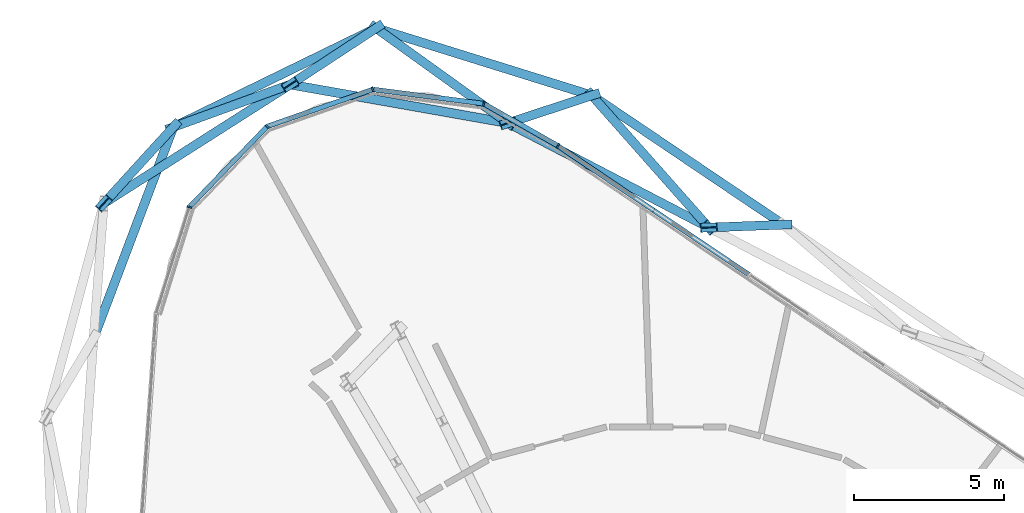
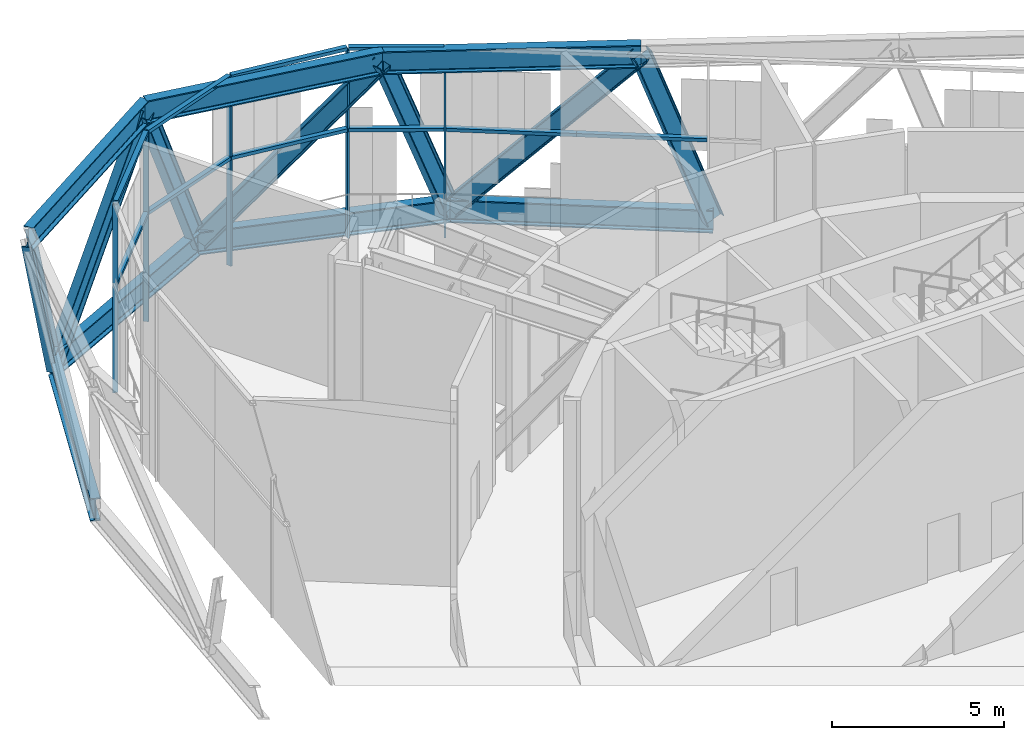
# One storey, part 7 of 24: 29 members, 2 elements without a shape of their own.
"""IFC4 building model written with IfcOpenShell, lengths in metres."""

from ifc_helpers import new_model, si_unit, direction, frame, origin, origin_2d, place, context, subcontext, project, spatial, rectangle, i_section, extrude, material, layer, layer_set, material_profile, profile_set, type_object, element, aggregate, save


model = new_model("IFC4")

# Units and contexts
model_context = context("Model", 3, precision=1e-05, world=origin(), true_north=direction((0.0, 1.0)))
body_context = subcontext(model_context, "Body", "Model", "MODEL_VIEW")
ifc_project = project(units=[si_unit("LENGTHUNIT", "METRE"), si_unit("AREAUNIT", "SQUARE_METRE"), si_unit("VOLUMEUNIT", "CUBIC_METRE"), si_unit("PLANEANGLEUNIT", "RADIAN"), si_unit("MASSUNIT", "GRAM", prefix="KILO")], contexts=[model_context])

# Site, building, storey
site_placement = place(None, origin())
site = spatial("IfcSite", under=ifc_project, at=site_placement, CompositionType="ELEMENT")
building_placement = place(site_placement, origin())
building = spatial("IfcBuilding", under=site, at=building_placement, Name="Spindle Arch Residences", CompositionType="ELEMENT")
storey_placement = place(building_placement, frame((0.0, 0.0, 219.89990234375)))
storey = spatial("IfcBuildingStorey", under=building, at=storey_placement, Name="L56", CompositionType="ELEMENT", Elevation=219.89990234375)

# Members
ifc_material_1 = material(Name="Steel S460ML, intumescent coating R 240", Category="steel")
ifc_material_profile_1 = material_profile(ifc_material_1, i_section(OverallWidth=0.302978515625, OverallDepth=0.81396484375, WebThickness=0.02099609375, FlangeThickness=0.0400390625, FilletRadius=0.030029296875, at=origin_2d()), Name="HEM 800")
ifc_profile_set_1 = profile_set([ifc_material_profile_1], Name="Steel S460ML, intumescent coating R 240")
member_type_1 = type_object("IfcMemberType", Name="Belt truss chord HEM 800", PredefinedType="CHORD", material=ifc_profile_set_1)
member_1_placement = place(storey_placement, frame((3.8994140625, 21.832763671875, -0.85693359375), z_axis=(-0.829040654635, 0.559188334072, 0.0), x_axis=(-0.559188334072, -0.829040654635, 0.0)))
element("IfcMember", 1, at=member_1_placement, inside=storey, type_object=member_type_1, Name="Belt truss bottom chord L56.9", PredefinedType="CHORD", context=body_context, shape_type="SweptSolid", body=[
    extrude(i_section(OverallWidth=0.302978515625, OverallDepth=0.81396484375, WebThickness=0.02099609375, FlangeThickness=0.0400390625, FilletRadius=0.030029296875, at=origin_2d()), origin(), (0.0, 0.0, 1.0), 7.69384765625),
])
member_2_placement = place(storey_placement, frame((-2.47900390625, 26.135009765625, -0.85693359375), z_axis=(-0.954689917857, 0.297602353388, 0.0), x_axis=(-0.297602353388, -0.954689917857, 0.0)))
element("IfcMember", 2, at=member_2_placement, inside=storey, type_object=member_type_1, Name="Belt truss bottom chord L56.10", PredefinedType="CHORD", context=body_context, shape_type="SweptSolid", body=[
    extrude(i_section(OverallWidth=0.302978515625, OverallDepth=0.81396484375, WebThickness=0.02099609375, FlangeThickness=0.0400390625, FilletRadius=0.030029296875, at=origin_2d()), origin(), (0.0, 0.0, 1.0), 7.5234375),
])
member_3_placement = place(storey_placement, frame((-9.66162109375, 28.3740234375, -0.85693359375), z_axis=(-0.898792504932, -0.438374307047, 0.0), x_axis=(0.438374307047, -0.898792504932, 0.0)))
element("IfcMember", 3, at=member_3_placement, inside=storey, type_object=member_type_1, Name="Belt truss bottom chord L56.11", PredefinedType="CHORD", context=body_context, shape_type="SweptSolid", body=[
    extrude(i_section(OverallWidth=0.302978515625, OverallDepth=0.81396484375, WebThickness=0.02099609375, FlangeThickness=0.0400390625, FilletRadius=0.030029296875, at=origin_2d()), origin(), (0.0, 0.0, 1.0), 7.509033203125),
])
member_4_placement = place(storey_placement, frame((-16.41064453125, 25.082275390625, -0.85693359375), z_axis=(-0.353277512849, -0.935518572191, 0.0), x_axis=(0.935518572191, -0.353277512849, 0.0)))
element("IfcMember", 4, at=member_4_placement, inside=storey, type_object=member_type_1, Name="Belt truss bottom chord L56.12", PredefinedType="CHORD", context=body_context, shape_type="SweptSolid", body=[
    extrude(i_section(OverallWidth=0.302978515625, OverallDepth=0.81396484375, WebThickness=0.02099609375, FlangeThickness=0.0400390625, FilletRadius=0.030029296875, at=origin_2d()), origin(), (0.0, 0.0, 1.0), 7.523681640625),
])
member_5_placement = place(storey_placement, frame((1.412109375, 21.738525390625, 5.943115234375), z_axis=(-0.88700649569, 0.461756945377, 0.0), x_axis=(-0.461756945377, -0.88700649569, 0.0)))
element("IfcMember", 5, at=member_5_placement, inside=storey, type_object=member_type_1, Name="Belt truss top chord L56.9", PredefinedType="CHORD", context=body_context, shape_type="SweptSolid", body=[
    extrude(i_section(OverallWidth=0.302978515625, OverallDepth=0.81396484375, WebThickness=0.02099609375, FlangeThickness=0.0400390625, FilletRadius=0.030029296875, at=origin_2d()), origin(), (0.0, 0.0, 1.0), 7.530029296875),
])
member_6_placement = place(storey_placement, frame((-5.26708984375, 25.215576171875, 5.943115234375), z_axis=(-0.984722428321, 0.17413138477, 0.0), x_axis=(-0.17413138477, -0.984722428321, 0.0)))
element("IfcMember", 6, at=member_6_placement, inside=storey, type_object=member_type_1, Name="Belt truss top chord L56.10", PredefinedType="CHORD", context=body_context, shape_type="SweptSolid", body=[
    extrude(i_section(OverallWidth=0.302978515625, OverallDepth=0.81396484375, WebThickness=0.02099609375, FlangeThickness=0.0400390625, FilletRadius=0.030029296875, at=origin_2d()), origin(), (0.0, 0.0, 1.0), 7.364990234375),
])
member_7_placement = place(storey_placement, frame((-12.51953125, 26.498046875, 5.943115234375), z_axis=(-0.843393561308, -0.53729628767, 0.0), x_axis=(0.53729628767, -0.843393561308, 0.0)))
element("IfcMember", 7, at=member_7_placement, inside=storey, type_object=member_type_1, Name="Belt truss top chord L56.11", PredefinedType="CHORD", context=body_context, shape_type="SweptSolid", body=[
    extrude(i_section(OverallWidth=0.302978515625, OverallDepth=0.81396484375, WebThickness=0.02099609375, FlangeThickness=0.0400390625, FilletRadius=0.030029296875, at=origin_2d()), origin(), (0.0, 0.0, 1.0), 7.35693359375),
])
ifc_material_2 = material(Name="Steel S460ML, intumescent coating R 240", Category="steel")
ifc_material_profile_2 = material_profile(ifc_material_2, i_section(OverallWidth=0.300048828125, OverallDepth=0.60009765625, WebThickness=0.015380859375, FlangeThickness=0.030029296875, FilletRadius=0.027099609375, at=origin_2d()), Name="HEB 600")
ifc_profile_set_2 = profile_set([ifc_material_profile_2], Name="Steel S460ML, intumescent coating R 240")
member_type_2 = type_object("IfcMemberType", Name="Belt truss diagonal HEB 600", PredefinedType="BRACE", material=ifc_profile_set_2)
member_8_placement = place(storey_placement, frame((3.8994140625, 21.832763671875, -0.85693359375), z_axis=(-0.343489337547, -0.013014024764, 0.939066403483), x_axis=(0.037860546774, -0.999283032478, 0.0)))
element("IfcMember", 8, at=member_8_placement, inside=storey, type_object=member_type_2, Name="Belt truss diagonal L56.9.9", PredefinedType="BRACE", context=body_context, shape_type="SweptSolid", body=[
    extrude(i_section(OverallWidth=0.300048828125, OverallDepth=0.60009765625, WebThickness=0.015380859375, FlangeThickness=0.030029296875, FilletRadius=0.027099609375, at=origin_2d()), origin(), (0.0, 0.0, 1.0), 7.2412109375),
])
member_9_placement = place(storey_placement, frame((-2.47900390625, 26.135009765625, -0.85693359375), z_axis=(0.433120611541, -0.489373570877, 0.756914819504), x_axis=(0.74883462352, 0.662756898582, 0.0)))
element("IfcMember", 9, at=member_9_placement, inside=storey, type_object=member_type_2, Name="Belt truss diagonal L56.9.10", PredefinedType="BRACE", context=body_context, shape_type="SweptSolid", body=[
    extrude(i_section(OverallWidth=0.300048828125, OverallDepth=0.60009765625, WebThickness=0.015380859375, FlangeThickness=0.030029296875, FilletRadius=0.027099609375, at=origin_2d()), origin(), (0.0, 0.0, 1.0), 8.98388671875),
])
member_10_placement = place(storey_placement, frame((-2.47900390625, 26.135009765625, -0.85693359375), z_axis=(-0.376426725266, -0.124135117982, 0.918092257341), x_axis=(0.313182463998, -0.949692973673, 0.0)))
element("IfcMember", 10, at=member_10_placement, inside=storey, type_object=member_type_2, Name="Belt truss diagonal L56.10.10", PredefinedType="BRACE", context=body_context, shape_type="SweptSolid", body=[
    extrude(i_section(OverallWidth=0.300048828125, OverallDepth=0.60009765625, WebThickness=0.015380859375, FlangeThickness=0.030029296875, FilletRadius=0.027099609375, at=origin_2d()), origin(), (0.0, 0.0, 1.0), 7.40673828125),
])
member_11_placement = place(storey_placement, frame((-9.66162109375, 28.3740234375, -0.85693359375), z_axis=(0.50565875992, -0.363428187616, 0.782450746669), x_axis=(0.583621175144, 0.812026061111, 0.0)))
element("IfcMember", 11, at=member_11_placement, inside=storey, type_object=member_type_2, Name="Belt truss diagonal L56.10.11", PredefinedType="BRACE", context=body_context, shape_type="SweptSolid", body=[
    extrude(i_section(OverallWidth=0.300048828125, OverallDepth=0.60009765625, WebThickness=0.015380859375, FlangeThickness=0.030029296875, FilletRadius=0.027099609375, at=origin_2d()), origin(), (0.0, 0.0, 1.0), 8.690673828125),
])
member_12_placement = place(storey_placement, frame((-9.66162109375, 28.3740234375, -0.85693359375), z_axis=(-0.375496414402, -0.246481671644, 0.893447943819), x_axis=(0.548753152789, -0.835984436042, 0.0)))
element("IfcMember", 12, at=member_12_placement, inside=storey, type_object=member_type_2, Name="Belt truss diagonal L56.11.11", PredefinedType="BRACE", context=body_context, shape_type="SweptSolid", body=[
    extrude(i_section(OverallWidth=0.300048828125, OverallDepth=0.60009765625, WebThickness=0.015380859375, FlangeThickness=0.030029296875, FilletRadius=0.027099609375, at=origin_2d()), origin(), (0.0, 0.0, 1.0), 7.611083984375),
])
member_13_placement = place(storey_placement, frame((-16.41064453125, 25.082275390625, -0.85693359375), z_axis=(0.488739865321, 0.17782673353, 0.854114159166), x_axis=(-0.341918220394, 0.93972971144, 0.0)))
element("IfcMember", 13, at=member_13_placement, inside=storey, type_object=member_type_2, Name="Belt truss diagonal L56.11.12", PredefinedType="BRACE", context=body_context, shape_type="SweptSolid", body=[
    extrude(i_section(OverallWidth=0.300048828125, OverallDepth=0.60009765625, WebThickness=0.015380859375, FlangeThickness=0.030029296875, FilletRadius=0.027099609375, at=origin_2d()), origin(), (0.0, 0.0, 1.0), 7.96142578125),
])
member_14_placement = place(storey_placement, frame((-16.41064453125, 25.082275390625, -0.85693359375), z_axis=(-0.303725538886, -0.333050100253, 0.892652467509), x_axis=(0.738887123143, -0.673829221134, 0.0)))
element("IfcMember", 14, at=member_14_placement, inside=storey, type_object=member_type_2, Name="Belt truss diagonal L56.12.12", PredefinedType="BRACE", context=body_context, shape_type="SweptSolid", body=[
    extrude(i_section(OverallWidth=0.300048828125, OverallDepth=0.60009765625, WebThickness=0.015380859375, FlangeThickness=0.030029296875, FilletRadius=0.027099609375, at=origin_2d()), origin(), (0.0, 0.0, 1.0), 7.617919921875),
])

# Curtain wall, members
ifc_material_3 = material(Name="Aluminium bronze unitised frame with tinted glass", Category="aluminium")
ifc_layer = layer(ifc_material_3, 0.159912109375)
ifc_layer_set = layer_set([ifc_layer], Name="CW-E double-height winter garden wall")
curtain_wall_type = type_object("IfcCurtainWallType", Name="CW-E double-height winter garden wall", PredefinedType="NOTDEFINED", material=ifc_layer_set)
curtain_wall_1_placement = place(storey_placement, origin())
curtain_wall_1 = element("IfcCurtainWall", 15, at=curtain_wall_1_placement, inside=storey, type_object=curtain_wall_type, Name="CW-E L56 run 3", PredefinedType="NOTDEFINED")
ifc_material_4 = material(Name="Aluminium bronze anodised mullion", Category="aluminium")
ifc_material_profile_3 = material_profile(ifc_material_4, rectangle(XDim=0.159912109375, YDim=0.06005859375, at=origin_2d()), Name="MU 60x160")
ifc_profile_set_3 = profile_set([ifc_material_profile_3], Name="Aluminium bronze anodised mullion")
member_type_3 = type_object("IfcMemberType", Name="Bronze mullion 60x160", PredefinedType="MULLION", material=ifc_profile_set_3)
member_15_placement = place(storey_placement, frame((-3.608642578125, 24.46044921875, -0.449951171875), z_axis=(0.0, 0.0, 1.0), x_axis=(-0.493864780547, -0.86953871595, 0.0)))
member_15 = element("IfcMember", 16, at=member_15_placement, type_object=member_type_3, Name="CW-E mullion 00", PredefinedType="MULLION", context=body_context, shape_type="SweptSolid", body=[
    extrude(rectangle(XDim=0.159912109375, YDim=0.06005859375, at=origin_2d()), origin(), (0.0, 0.0, 1.0), 6.679931640625),
])
member_16_placement = place(storey_placement, frame((-6.07421875, 25.86083984375, -0.449951171875), z_axis=(0.0, 0.0, 1.0), x_axis=(-0.127641651888, -0.991820351023, 0.0)))
member_16 = element("IfcMember", 17, at=member_16_placement, type_object=member_type_3, Name="CW-E mullion 01", PredefinedType="MULLION", context=body_context, shape_type="SweptSolid", body=[
    extrude(rectangle(XDim=0.159912109375, YDim=0.06005859375, at=origin_2d()), origin(), (0.0, 0.0, 1.0), 6.679931640625),
])
member_17_placement = place(storey_placement, frame((-9.7705078125, 26.336669921875, -0.449951171875), z_axis=(0.0, 0.0, 1.0), x_axis=(0.331063412445, -0.943608508302, 0.0)))
member_17 = element("IfcMember", 18, at=member_17_placement, type_object=member_type_3, Name="CW-E mullion 02", PredefinedType="MULLION", context=body_context, shape_type="SweptSolid", body=[
    extrude(rectangle(XDim=0.159912109375, YDim=0.06005859375, at=origin_2d()), origin(), (0.0, 0.0, 1.0), 6.679931640625),
])
member_18_placement = place(storey_placement, frame((-13.287109375, 25.102783203125, -0.449951171875), z_axis=(0.0, 0.0, 1.0), x_axis=(0.719339801939, -0.694658368802, 0.0)))
member_18 = element("IfcMember", 19, at=member_18_placement, type_object=member_type_3, Name="CW-E mullion 03", PredefinedType="MULLION", context=body_context, shape_type="SweptSolid", body=[
    extrude(rectangle(XDim=0.159912109375, YDim=0.06005859375, at=origin_2d()), origin(), (0.0, 0.0, 1.0), 6.679931640625),
])
member_19_placement = place(storey_placement, frame((-15.8759765625, 22.421875, -0.449951171875), z_axis=(0.0, 0.0, 1.0), x_axis=(0.954587634064, -0.297930275218, 0.0)))
member_19 = element("IfcMember", 20, at=member_19_placement, type_object=member_type_3, Name="CW-E mullion 04", PredefinedType="MULLION", context=body_context, shape_type="SweptSolid", body=[
    extrude(rectangle(XDim=0.159912109375, YDim=0.06005859375, at=origin_2d()), origin(), (0.0, 0.0, 1.0), 6.679931640625),
])

curtain_wall_2_placement = place(storey_placement, origin())
curtain_wall_2 = element("IfcCurtainWall", 21, at=curtain_wall_2_placement, inside=storey, type_object=curtain_wall_type, Name="CW-E L56 run 2", PredefinedType="NOTDEFINED")
ifc_material_5 = material(Name="Aluminium bronze anodised transom", Category="aluminium")
ifc_material_profile_4 = material_profile(ifc_material_5, rectangle(XDim=0.159912109375, YDim=0.1201171875, at=origin_2d()), Name="TR 120x160")
ifc_profile_set_4 = profile_set([ifc_material_profile_4], Name="Aluminium bronze anodised transom")
member_type_4 = type_object("IfcMemberType", Name="Bronze transom 120x160", PredefinedType="USERDEFINED", material=ifc_profile_set_4)
member_20_placement = place(storey_placement, frame((2.744873046875, 20.175048828125, 3.400146484375), z_axis=(-0.829046613414, 0.559179499612, 0.0), x_axis=(-0.559179499612, -0.829046613414, 0.0)))
member_20 = element("IfcMember", 22, at=member_20_placement, type_object=member_type_4, Name="CW-E transom 08Am", ObjectType="TRANSOM", PredefinedType="USERDEFINED", context=body_context, shape_type="SweptSolid", body=[
    extrude(rectangle(XDim=0.159912109375, YDim=0.1201171875, at=origin_2d()), origin(), (0.0, 0.0, 1.0), 3.81689453125),
])
member_21_placement = place(storey_placement, frame((-0.41943359375, 22.309326171875, 3.400146484375), z_axis=(-0.829046613414, 0.559179499612, 0.0), x_axis=(-0.559179499612, -0.829046613414, 0.0)))
member_21 = element("IfcMember", 23, at=member_21_placement, type_object=member_type_4, Name="CW-E transom 08Bm", ObjectType="TRANSOM", PredefinedType="USERDEFINED", context=body_context, shape_type="SweptSolid", body=[
    extrude(rectangle(XDim=0.159912109375, YDim=0.1201171875, at=origin_2d()), origin(), (0.0, 0.0, 1.0), 3.81689453125),
])
aggregate(curtain_wall_2, [member_20, member_21])

# Member
member_22_placement = place(storey_placement, frame((-3.634521484375, 24.475341796875, 6.2900390625), z_axis=(-0.869571592644, 0.493806890664, 0.0), x_axis=(-0.493806890664, -0.869571592644, 0.0)))
member_22 = element("IfcMember", 24, at=member_22_placement, type_object=member_type_4, Name="CW-E transom 00", ObjectType="TRANSOM", PredefinedType="USERDEFINED", context=body_context, shape_type="SweptSolid", body=[
    extrude(rectangle(XDim=0.159912109375, YDim=0.1201171875, at=origin_2d()), origin(), (0.0, 0.0, 1.0), 2.775634765625),
])

member_23_placement = place(storey_placement, frame((-3.634521484375, 24.475341796875, 3.400146484375), z_axis=(-0.869571592644, 0.493806890664, 0.0), x_axis=(-0.493806890664, -0.869571592644, 0.0)))
member_23 = element("IfcMember", 25, at=member_23_placement, type_object=member_type_4, Name="CW-E transom 00m", ObjectType="TRANSOM", PredefinedType="USERDEFINED", context=body_context, shape_type="SweptSolid", body=[
    extrude(rectangle(XDim=0.159912109375, YDim=0.1201171875, at=origin_2d()), origin(), (0.0, 0.0, 1.0), 2.775634765625),
])

member_24_placement = place(storey_placement, frame((-6.10400390625, 25.86474609375, 6.2900390625), z_axis=(-0.991820609669, 0.127639642101, 0.0), x_axis=(-0.127639642101, -0.991820609669, 0.0)))
member_24 = element("IfcMember", 26, at=member_24_placement, type_object=member_type_4, Name="CW-E transom 01", ObjectType="TRANSOM", PredefinedType="USERDEFINED", context=body_context, shape_type="SweptSolid", body=[
    extrude(rectangle(XDim=0.159912109375, YDim=0.1201171875, at=origin_2d()), origin(), (0.0, 0.0, 1.0), 3.666748046875),
])

member_25_placement = place(storey_placement, frame((-6.10400390625, 25.86474609375, 3.400146484375), z_axis=(-0.991820609669, 0.127639642101, 0.0), x_axis=(-0.127639642101, -0.991820609669, 0.0)))
member_25 = element("IfcMember", 27, at=member_25_placement, type_object=member_type_4, Name="CW-E transom 01m", ObjectType="TRANSOM", PredefinedType="USERDEFINED", context=body_context, shape_type="SweptSolid", body=[
    extrude(rectangle(XDim=0.159912109375, YDim=0.1201171875, at=origin_2d()), origin(), (0.0, 0.0, 1.0), 3.666748046875),
])

member_26_placement = place(storey_placement, frame((-9.798828125, 26.32666015625, 6.2900390625), z_axis=(-0.943613119154, -0.331050270141, 0.0), x_axis=(0.331050270141, -0.943613119154, 0.0)))
member_26 = element("IfcMember", 28, at=member_26_placement, type_object=member_type_4, Name="CW-E transom 02", ObjectType="TRANSOM", PredefinedType="USERDEFINED", context=body_context, shape_type="SweptSolid", body=[
    extrude(rectangle(XDim=0.159912109375, YDim=0.1201171875, at=origin_2d()), origin(), (0.0, 0.0, 1.0), 3.666748046875),
])

member_27_placement = place(storey_placement, frame((-9.798828125, 26.32666015625, 3.400146484375), z_axis=(-0.943613119154, -0.331050270141, 0.0), x_axis=(0.331050270141, -0.943613119154, 0.0)))
member_27 = element("IfcMember", 29, at=member_27_placement, type_object=member_type_4, Name="CW-E transom 02m", ObjectType="TRANSOM", PredefinedType="USERDEFINED", context=body_context, shape_type="SweptSolid", body=[
    extrude(rectangle(XDim=0.159912109375, YDim=0.1201171875, at=origin_2d()), origin(), (0.0, 0.0, 1.0), 3.666748046875),
])

member_28_placement = place(storey_placement, frame((-13.307861328125, 25.081298828125, 6.2900390625), z_axis=(-0.694647982093, -0.719349832122, 0.0), x_axis=(0.719349832122, -0.694647982093, 0.0)))
member_28 = element("IfcMember", 30, at=member_28_placement, type_object=member_type_4, Name="CW-E transom 03", ObjectType="TRANSOM", PredefinedType="USERDEFINED", context=body_context, shape_type="SweptSolid", body=[
    extrude(rectangle(XDim=0.159912109375, YDim=0.1201171875, at=origin_2d()), origin(), (0.0, 0.0, 1.0), 3.666748046875),
])

member_29_placement = place(storey_placement, frame((-13.307861328125, 25.081298828125, 3.400146484375), z_axis=(-0.694647982093, -0.719349832122, 0.0), x_axis=(0.719349832122, -0.694647982093, 0.0)))
member_29 = element("IfcMember", 31, at=member_29_placement, type_object=member_type_4, Name="CW-E transom 03m", ObjectType="TRANSOM", PredefinedType="USERDEFINED", context=body_context, shape_type="SweptSolid", body=[
    extrude(rectangle(XDim=0.159912109375, YDim=0.1201171875, at=origin_2d()), origin(), (0.0, 0.0, 1.0), 3.666748046875),
])

aggregate(curtain_wall_1, [member_15, member_22, member_23, member_16, member_24, member_25, member_17, member_26, member_27, member_18, member_28, member_29, member_19])

save(model, "model.ifc")
